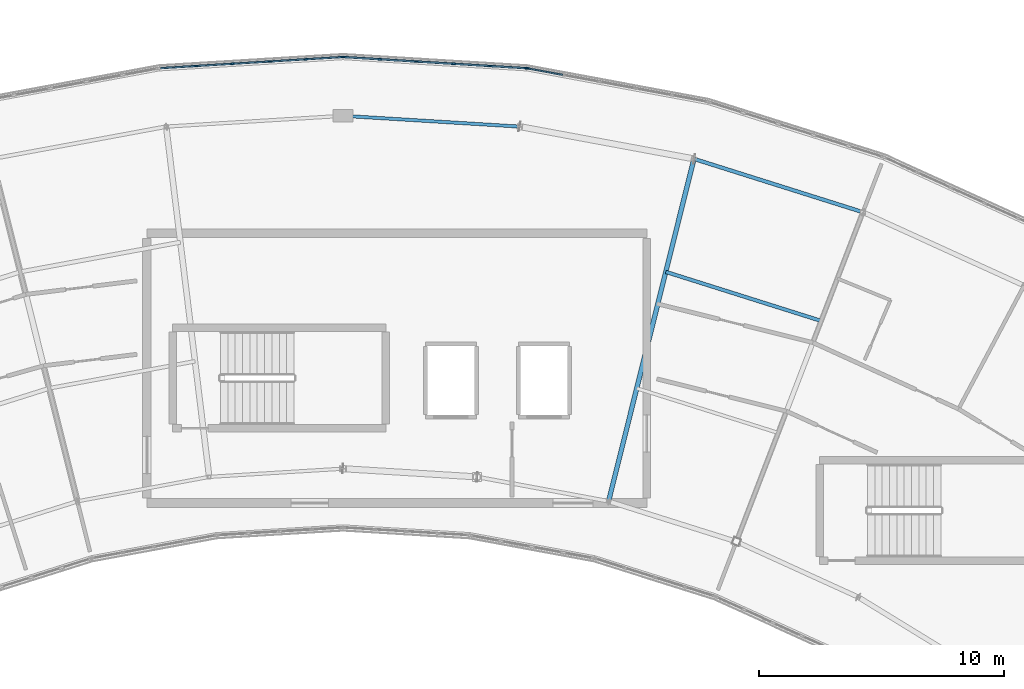
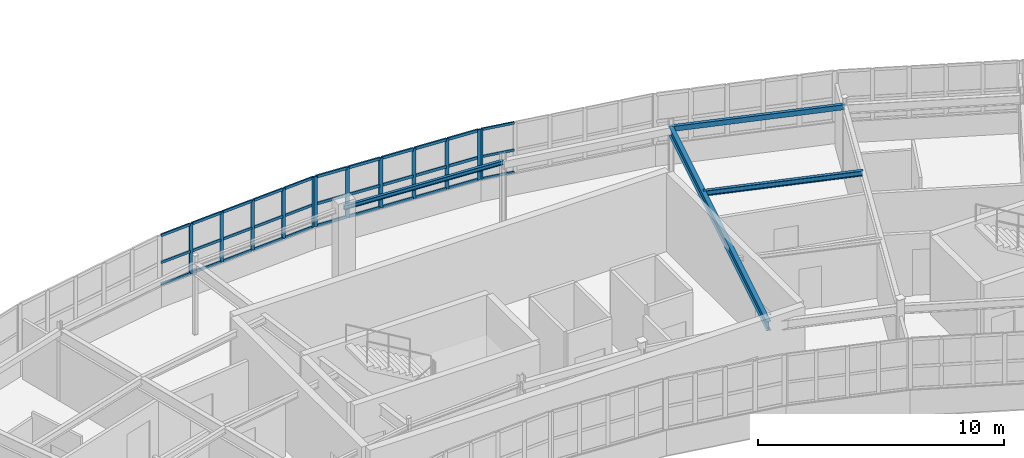
# One storey, part 40 of 79: 45 members, 4 beams, 3 elements without a shape of their own.
"""IFC4 building model written with IfcOpenShell, lengths in metres."""

from ifc_helpers import new_model, si_unit, direction, frame, origin, origin_2d, place, context, subcontext, project, spatial, rectangle, hollow_rectangle, i_section, extrude, material, layer, layer_set, material_profile, profile_set, type_object, element, aggregate, save


model = new_model("IFC4")

# Units and contexts
model_context = context("Model", 3, precision=1e-05, world=origin(), true_north=direction((0.0, 1.0)))
body_context = subcontext(model_context, "Body", "Model", "MODEL_VIEW")
ifc_project = project(units=[si_unit("LENGTHUNIT", "METRE"), si_unit("AREAUNIT", "SQUARE_METRE"), si_unit("VOLUMEUNIT", "CUBIC_METRE"), si_unit("PLANEANGLEUNIT", "RADIAN"), si_unit("MASSUNIT", "GRAM", prefix="KILO")], contexts=[model_context])

# Site, building, storey
site_placement = place(None, origin())
site = spatial("IfcSite", under=ifc_project, at=site_placement, CompositionType="ELEMENT")
building_placement = place(site_placement, origin())
building = spatial("IfcBuilding", under=site, at=building_placement, Name="Tarnwether General Hospital", CompositionType="ELEMENT")
storey_placement = place(building_placement, frame((0.0, 0.0, 18.300048828125)))
storey = spatial("IfcBuildingStorey", under=building, at=storey_placement, Name="L04", CompositionType="ELEMENT", Elevation=18.300048828125)

# Beams
ifc_material_1 = material(Name="Steel Grade 350 (350 MPa)", Category="steel")
ifc_material_profile_1 = material_profile(ifc_material_1, i_section(OverallWidth=0.19091796875, OverallDepth=0.4599609375, WebThickness=0.010009765625, FlangeThickness=0.01611328125, at=origin_2d()), Name="460UB82.1")
ifc_profile_set_1 = profile_set([ifc_material_profile_1], Name="Steel Grade 350 (350 MPa)")
beam_type_1 = type_object("IfcBeamType", Name="BM-G08", PredefinedType="BEAM", material=ifc_profile_set_1)
beam_1_placement = place(storey_placement, frame((106.322021484375, 120.44189453125, 3.329833984375), z_axis=(-0.241941215118, -0.970290909175, 0.0), x_axis=(0.970290909175, -0.241941215118, 0.0)))
element("IfcBeam", 1, at=beam_1_placement, inside=storey, type_object=beam_type_1, Name="Curved Ward NW Radial Girder BMG-L04-10632_12044-10284_10647-1953", PredefinedType="BEAM", context=body_context, shape_type="SweptSolid", body=[
    extrude(i_section(OverallWidth=0.19091796875, OverallDepth=0.4599609375, WebThickness=0.010009765625, FlangeThickness=0.01611328125, at=origin_2d()), origin(), (0.0, 0.0, 1.0), 14.400634765625),
])
ifc_material_2 = material(Name="Steel Grade 350 (350 MPa)", Category="steel")
ifc_material_profile_2 = material_profile(ifc_material_2, i_section(OverallWidth=0.14599609375, OverallDepth=0.256103515625, WebThickness=0.00634765625, FlangeThickness=0.010986328125, at=origin_2d()), Name="250UB37.3")
ifc_profile_set_2 = profile_set([ifc_material_profile_2], Name="Steel Grade 350 (350 MPa)")
beam_type_2 = type_object("IfcBeamType", Name="BM-J09", PredefinedType="JOIST", material=ifc_profile_set_2)
beam_2_placement = place(storey_placement, frame((105.172119140625, 115.8310546875, 3.431884765625), z_axis=(0.953671429399, -0.300850136693, 0.0), x_axis=(0.300850136693, 0.953671429399, 0.0)))
element("IfcBeam", 2, at=beam_2_placement, inside=storey, type_object=beam_type_2, Name="Curved Ward NW Chord Joist BMG-L04-10517_11583-11151_11383-1975", PredefinedType="JOIST", context=body_context, shape_type="SweptSolid", body=[
    extrude(i_section(OverallWidth=0.14599609375, OverallDepth=0.256103515625, WebThickness=0.00634765625, FlangeThickness=0.010986328125, at=origin_2d()), origin(), (0.0, 0.0, 1.0), 6.64794921875),
])
ifc_material_3 = material(Name="Steel Grade 350 (350 MPa)", Category="steel")
ifc_material_profile_3 = material_profile(ifc_material_3, i_section(OverallWidth=0.133056640625, OverallDepth=0.201904296875, WebThickness=0.0048828125, FlangeThickness=0.007080078125, at=origin_2d()), Name="200UB22.3")
ifc_profile_set_3 = profile_set([ifc_material_profile_3], Name="Steel Grade 350 (350 MPa)")
beam_type_3 = type_object("IfcBeamType", Name="BM-SP6", PredefinedType="SPANDREL", material=ifc_profile_set_3)
beam_3_placement = place(storey_placement, frame((92.0, 122.199951171875, 3.458984375), z_axis=(0.998137964221, -0.060996757127, 0.0), x_axis=(0.060996757127, 0.998137964221, 0.0)))
element("IfcBeam", 3, at=beam_3_placement, inside=storey, type_object=beam_type_3, Name="Curved Ward NW Outer Spandrel BMG-L04-9200_12220-9922_12176-1969", PredefinedType="SPANDREL", context=body_context, shape_type="SweptSolid", body=[
    extrude(i_section(OverallWidth=0.133056640625, OverallDepth=0.201904296875, WebThickness=0.0048828125, FlangeThickness=0.007080078125, at=origin_2d()), origin(), (0.0, 0.0, 1.0), 7.228515625),
])
ifc_material_4 = material(Name="Steel Grade C350L0 (350 MPa)", Category="steel")
ifc_material_profile_4 = material_profile(ifc_material_4, hollow_rectangle(XDim=0.14990234375, YDim=0.25, WallThickness=0.008056640625, at=origin_2d()), Name="RHS250x150x8")
ifc_profile_set_4 = profile_set([ifc_material_profile_4], Name="Steel Grade C350L0 (350 MPa)")
beam_type_4 = type_object("IfcBeamType", Name="BM-SP8", PredefinedType="SPANDREL", material=ifc_profile_set_4)
beam_4_placement = place(storey_placement, frame((106.322021484375, 120.44189453125, 3.43505859375), z_axis=(0.953698988948, -0.300762761125, 0.0), x_axis=(0.300762761125, 0.953698988948, 0.0)))
element("IfcBeam", 4, at=beam_4_placement, inside=storey, type_object=beam_type_4, Name="Curved Ward NW Outer Spandrel BMG-L04-10632_12044-11322_11827-1973", PredefinedType="SPANDREL", context=body_context, shape_type="SweptSolid", body=[
    extrude(hollow_rectangle(XDim=0.14990234375, YDim=0.25, WallThickness=0.008056640625, at=origin_2d()), origin(), (0.0, 0.0, 1.0), 7.227783203125),
])

# Curtain wall, member
ifc_material_5 = material(Name="Anodised aluminium", Category="aluminium")
ifc_layer = layer(ifc_material_5, 0.159912109375)
ifc_layer_set = layer_set([ifc_layer], Name="Anodised aluminium")
curtain_wall_type = type_object("IfcCurtainWallType", Name="CW-02", PredefinedType="NOTDEFINED", material=ifc_layer_set)
curtain_wall_1_placement = place(storey_placement, origin())
curtain_wall_1 = element("IfcCurtainWall", 5, at=curtain_wall_1_placement, inside=storey, type_object=curtain_wall_type, Name="Curtain Wall CWG-L04-995_1241-0057", PredefinedType="NOTDEFINED")
ifc_material_6 = material(Name="Anodised aluminium", Category="aluminium")
ifc_material_profile_5 = material_profile(ifc_material_6, rectangle(XDim=0.06005859375, YDim=0.159912109375, at=origin_2d()), Name="ALU-MUL-60x160")
ifc_profile_set_5 = profile_set([ifc_material_profile_5], Name="Anodised aluminium")
member_type_1 = type_object("IfcMemberType", Name="CW-ML1", PredefinedType="MULLION", material=ifc_profile_set_5)
member_1_placement = place(storey_placement, frame((99.536376953125, 124.135498046875, 1.050048828125), z_axis=(0.0, 0.0, 1.0), x_axis=(0.182289226614, 0.983244953132, 0.0)))
member_1 = element("IfcMember", 6, at=member_1_placement, type_object=member_type_1, Name="CW-02 mullion 1", PredefinedType="MULLION", context=body_context, shape_type="SweptSolid", body=[
    extrude(rectangle(XDim=0.06005859375, YDim=0.159912109375, at=origin_2d()), origin(), (0.0, 0.0, 1.0), 2.489990234375),
])

# Curtain wall, members
curtain_wall_2_placement = place(storey_placement, origin())
curtain_wall_2 = element("IfcCurtainWall", 7, at=curtain_wall_2_placement, inside=storey, type_object=curtain_wall_type, Name="Curtain Wall CWG-L04-920_1246-0058", PredefinedType="NOTDEFINED")
ifc_material_7 = material(Name="Anodised aluminium", Category="aluminium")
ifc_material_profile_6 = material_profile(ifc_material_7, rectangle(XDim=0.070068359375, YDim=0.179931640625, at=origin_2d()), Name="ALU-MUL-70x180")
ifc_profile_set_6 = profile_set([ifc_material_profile_6], Name="Anodised aluminium")
member_type_2 = type_object("IfcMemberType", Name="CW-ML2", PredefinedType="MULLION", material=ifc_profile_set_6)
member_2_placement = place(storey_placement, frame((92.034912109375, 124.597900390625, 1.050048828125), z_axis=(0.0, 0.0, 1.0), x_axis=(0.061028962567, 0.998135995608, 0.0)))
member_2 = element("IfcMember", 8, at=member_2_placement, type_object=member_type_2, Name="CW-02 mullion 1", PredefinedType="MULLION", context=body_context, shape_type="SweptSolid", body=[
    extrude(rectangle(XDim=0.070068359375, YDim=0.179931640625, at=origin_2d()), origin(), (0.0, 0.0, 1.0), 2.489990234375),
])
member_3_placement = place(storey_placement, frame((93.50146484375, 124.50830078125, 1.050048828125), z_axis=(0.0, 0.0, 1.0), x_axis=(0.061028962567, 0.998135995608, 0.0)))
member_3 = element("IfcMember", 9, at=member_3_placement, type_object=member_type_2, Name="CW-02 mullion 2", PredefinedType="MULLION", context=body_context, shape_type="SweptSolid", body=[
    extrude(rectangle(XDim=0.070068359375, YDim=0.179931640625, at=origin_2d()), origin(), (0.0, 0.0, 1.0), 2.489990234375),
])
member_4_placement = place(storey_placement, frame((95.002685546875, 124.41650390625, 1.050048828125), z_axis=(0.0, 0.0, 1.0), x_axis=(0.061028962567, 0.998135995608, 0.0)))
member_4 = element("IfcMember", 10, at=member_4_placement, type_object=member_type_2, Name="CW-02 mullion 3", PredefinedType="MULLION", context=body_context, shape_type="SweptSolid", body=[
    extrude(rectangle(XDim=0.070068359375, YDim=0.179931640625, at=origin_2d()), origin(), (0.0, 0.0, 1.0), 2.489990234375),
])
member_5_placement = place(storey_placement, frame((96.504150390625, 124.32470703125, 1.050048828125), z_axis=(0.0, 0.0, 1.0), x_axis=(0.061028962567, 0.998135995608, 0.0)))
member_5 = element("IfcMember", 11, at=member_5_placement, type_object=member_type_2, Name="CW-02 mullion 4", PredefinedType="MULLION", context=body_context, shape_type="SweptSolid", body=[
    extrude(rectangle(XDim=0.070068359375, YDim=0.179931640625, at=origin_2d()), origin(), (0.0, 0.0, 1.0), 2.489990234375),
])
member_6_placement = place(storey_placement, frame((98.005615234375, 124.23291015625, 1.050048828125), z_axis=(0.0, 0.0, 1.0), x_axis=(0.061028962567, 0.998135995608, 0.0)))
member_6 = element("IfcMember", 12, at=member_6_placement, type_object=member_type_2, Name="CW-02 mullion 5", PredefinedType="MULLION", context=body_context, shape_type="SweptSolid", body=[
    extrude(rectangle(XDim=0.070068359375, YDim=0.179931640625, at=origin_2d()), origin(), (0.0, 0.0, 1.0), 2.489990234375),
])
member_7_placement = place(storey_placement, frame((99.47216796875, 124.14306640625, 1.050048828125), z_axis=(0.0, 0.0, 1.0), x_axis=(0.061028962567, 0.998135995608, 0.0)))
member_7 = element("IfcMember", 13, at=member_7_placement, type_object=member_type_2, Name="CW-02 mullion 6", PredefinedType="MULLION", context=body_context, shape_type="SweptSolid", body=[
    extrude(rectangle(XDim=0.070068359375, YDim=0.179931640625, at=origin_2d()), origin(), (0.0, 0.0, 1.0), 2.489990234375),
])

curtain_wall_3_placement = place(storey_placement, origin())
curtain_wall_3 = element("IfcCurtainWall", 14, at=curtain_wall_3_placement, inside=storey, type_object=curtain_wall_type, Name="Curtain Wall CWG-L04-845_1241-0059", PredefinedType="NOTDEFINED")
ifc_material_8 = material(Name="Anodised aluminium", Category="aluminium")
ifc_material_profile_7 = material_profile(ifc_material_8, rectangle(XDim=0.06494140625, YDim=0.169921875, at=origin_2d()), Name="ALU-MUL-65x170")
ifc_profile_set_7 = profile_set([ifc_material_profile_7], Name="Anodised aluminium")
member_type_3 = type_object("IfcMemberType", Name="CW-ML3", PredefinedType="MULLION", material=ifc_profile_set_7)
member_8_placement = place(storey_placement, frame((85.994384765625, 124.23291015625, 1.050048828125), z_axis=(0.0, 0.0, 1.0), x_axis=(-0.061028962567, 0.998135995608, 0.0)))
member_8 = element("IfcMember", 15, at=member_8_placement, type_object=member_type_3, Name="CW-02 mullion 2", PredefinedType="MULLION", context=body_context, shape_type="SweptSolid", body=[
    extrude(rectangle(XDim=0.06494140625, YDim=0.169921875, at=origin_2d()), origin(), (0.0, 0.0, 1.0), 2.489990234375),
])
member_9_placement = place(storey_placement, frame((87.495849609375, 124.32470703125, 1.050048828125), z_axis=(0.0, 0.0, 1.0), x_axis=(-0.061028962567, 0.998135995608, 0.0)))
member_9 = element("IfcMember", 16, at=member_9_placement, type_object=member_type_3, Name="CW-02 mullion 3", PredefinedType="MULLION", context=body_context, shape_type="SweptSolid", body=[
    extrude(rectangle(XDim=0.06494140625, YDim=0.169921875, at=origin_2d()), origin(), (0.0, 0.0, 1.0), 2.489990234375),
])
member_10_placement = place(storey_placement, frame((88.997314453125, 124.41650390625, 1.050048828125), z_axis=(0.0, 0.0, 1.0), x_axis=(-0.061028962567, 0.998135995608, 0.0)))
member_10 = element("IfcMember", 17, at=member_10_placement, type_object=member_type_3, Name="CW-02 mullion 4", PredefinedType="MULLION", context=body_context, shape_type="SweptSolid", body=[
    extrude(rectangle(XDim=0.06494140625, YDim=0.169921875, at=origin_2d()), origin(), (0.0, 0.0, 1.0), 2.489990234375),
])
member_11_placement = place(storey_placement, frame((90.49853515625, 124.50830078125, 1.050048828125), z_axis=(0.0, 0.0, 1.0), x_axis=(-0.061028962567, 0.998135995608, 0.0)))
member_11 = element("IfcMember", 18, at=member_11_placement, type_object=member_type_3, Name="CW-02 mullion 5", PredefinedType="MULLION", context=body_context, shape_type="SweptSolid", body=[
    extrude(rectangle(XDim=0.06494140625, YDim=0.169921875, at=origin_2d()), origin(), (0.0, 0.0, 1.0), 2.489990234375),
])
member_12_placement = place(storey_placement, frame((91.967529296875, 124.597900390625, 1.050048828125), z_axis=(0.0, 0.0, 1.0), x_axis=(-0.061028962567, 0.998135995608, 0.0)))
member_12 = element("IfcMember", 19, at=member_12_placement, type_object=member_type_3, Name="CW-02 mullion 6", PredefinedType="MULLION", context=body_context, shape_type="SweptSolid", body=[
    extrude(rectangle(XDim=0.06494140625, YDim=0.169921875, at=origin_2d()), origin(), (0.0, 0.0, 1.0), 2.489990234375),
])

# Member
ifc_material_9 = material(Name="Anodised aluminium", Category="aluminium")
ifc_material_profile_8 = material_profile(ifc_material_9, rectangle(XDim=0.06005859375, YDim=0.1201171875, at=origin_2d()), Name="ALU-TRN-60x120")
ifc_profile_set_8 = profile_set([ifc_material_profile_8], Name="Anodised aluminium")
member_type_4 = type_object("IfcMemberType", Name="CW-TR1", PredefinedType="USERDEFINED", material=ifc_profile_set_8)
member_13_placement = place(storey_placement, frame((99.56591796875, 124.130126953125, 1.079833984375), z_axis=(0.983245354782, -0.182287060156, 0.0), x_axis=(0.182287060156, 0.983245354782, 0.0)))
member_13 = element("IfcMember", 20, at=member_13_placement, type_object=member_type_4, Name="CW-02 transom 1.1", ObjectType="TRANSOM", PredefinedType="USERDEFINED", context=body_context, shape_type="SweptSolid", body=[
    extrude(rectangle(XDim=0.06005859375, YDim=0.1201171875, at=origin_2d()), origin(), (0.0, 0.0, 1.0), 1.414306640625),
])

member_14_placement = place(storey_placement, frame((99.56591796875, 124.130126953125, 2.17041015625), z_axis=(0.983245354782, -0.182287060156, 0.0), x_axis=(0.182287060156, 0.983245354782, 0.0)))
member_14 = element("IfcMember", 21, at=member_14_placement, type_object=member_type_4, Name="CW-02 transom 1.2", ObjectType="TRANSOM", PredefinedType="USERDEFINED", context=body_context, shape_type="SweptSolid", body=[
    extrude(rectangle(XDim=0.06005859375, YDim=0.1201171875, at=origin_2d()), origin(), (0.0, 0.0, 1.0), 1.414306640625),
])

member_15_placement = place(storey_placement, frame((99.56591796875, 124.130126953125, 3.510009765625), z_axis=(0.983245354782, -0.182287060156, 0.0), x_axis=(0.182287060156, 0.983245354782, 0.0)))
member_15 = element("IfcMember", 22, at=member_15_placement, type_object=member_type_4, Name="CW-02 transom 1.3", ObjectType="TRANSOM", PredefinedType="USERDEFINED", context=body_context, shape_type="SweptSolid", body=[
    extrude(rectangle(XDim=0.06005859375, YDim=0.1201171875, at=origin_2d()), origin(), (0.0, 0.0, 1.0), 1.414306640625),
])

aggregate(curtain_wall_1, [member_1, member_13, member_14, member_15])

ifc_material_10 = material(Name="Anodised aluminium", Category="aluminium")
ifc_material_profile_9 = material_profile(ifc_material_10, rectangle(XDim=0.070068359375, YDim=0.139892578125, at=origin_2d()), Name="ALU-TRN-70x140")
ifc_profile_set_9 = profile_set([ifc_material_profile_9], Name="Anodised aluminium")
member_type_5 = type_object("IfcMemberType", Name="CW-TR2", PredefinedType="USERDEFINED", material=ifc_profile_set_9)
member_16_placement = place(storey_placement, frame((92.06982421875, 124.595703125, 1.0849609375), z_axis=(0.998133855848, -0.061063948531, 0.0), x_axis=(0.061063948531, 0.998133855848, 0.0)))
member_16 = element("IfcMember", 23, at=member_16_placement, type_object=member_type_5, Name="CW-02 transom 1.1", ObjectType="TRANSOM", PredefinedType="USERDEFINED", context=body_context, shape_type="SweptSolid", body=[
    extrude(rectangle(XDim=0.070068359375, YDim=0.139892578125, at=origin_2d()), origin(), (0.0, 0.0, 1.0), 1.3994140625),
])

member_17_placement = place(storey_placement, frame((92.06982421875, 124.595703125, 2.17041015625), z_axis=(0.998133855848, -0.061063948531, 0.0), x_axis=(0.061063948531, 0.998133855848, 0.0)))
member_17 = element("IfcMember", 24, at=member_17_placement, type_object=member_type_5, Name="CW-02 transom 1.2", ObjectType="TRANSOM", PredefinedType="USERDEFINED", context=body_context, shape_type="SweptSolid", body=[
    extrude(rectangle(XDim=0.070068359375, YDim=0.139892578125, at=origin_2d()), origin(), (0.0, 0.0, 1.0), 1.3994140625),
])

member_18_placement = place(storey_placement, frame((92.06982421875, 124.595703125, 3.5048828125), z_axis=(0.998133855848, -0.061063948531, 0.0), x_axis=(0.061063948531, 0.998133855848, 0.0)))
member_18 = element("IfcMember", 25, at=member_18_placement, type_object=member_type_5, Name="CW-02 transom 1.3", ObjectType="TRANSOM", PredefinedType="USERDEFINED", context=body_context, shape_type="SweptSolid", body=[
    extrude(rectangle(XDim=0.070068359375, YDim=0.139892578125, at=origin_2d()), origin(), (0.0, 0.0, 1.0), 1.3994140625),
])

member_19_placement = place(storey_placement, frame((93.536376953125, 124.506103515625, 1.0849609375), z_axis=(0.998130609701, -0.061116985994, 0.0), x_axis=(0.061116985994, 0.998130609701, 0.0)))
member_19 = element("IfcMember", 26, at=member_19_placement, type_object=member_type_5, Name="CW-02 transom 2.1", ObjectType="TRANSOM", PredefinedType="USERDEFINED", context=body_context, shape_type="SweptSolid", body=[
    extrude(rectangle(XDim=0.070068359375, YDim=0.139892578125, at=origin_2d()), origin(), (0.0, 0.0, 1.0), 1.43408203125),
])

member_20_placement = place(storey_placement, frame((93.536376953125, 124.506103515625, 2.17041015625), z_axis=(0.998130609701, -0.061116985994, 0.0), x_axis=(0.061116985994, 0.998130609701, 0.0)))
member_20 = element("IfcMember", 27, at=member_20_placement, type_object=member_type_5, Name="CW-02 transom 2.2", ObjectType="TRANSOM", PredefinedType="USERDEFINED", context=body_context, shape_type="SweptSolid", body=[
    extrude(rectangle(XDim=0.070068359375, YDim=0.139892578125, at=origin_2d()), origin(), (0.0, 0.0, 1.0), 1.43408203125),
])

member_21_placement = place(storey_placement, frame((93.536376953125, 124.506103515625, 3.5048828125), z_axis=(0.998130609701, -0.061116985994, 0.0), x_axis=(0.061116985994, 0.998130609701, 0.0)))
member_21 = element("IfcMember", 28, at=member_21_placement, type_object=member_type_5, Name="CW-02 transom 2.3", ObjectType="TRANSOM", PredefinedType="USERDEFINED", context=body_context, shape_type="SweptSolid", body=[
    extrude(rectangle(XDim=0.070068359375, YDim=0.139892578125, at=origin_2d()), origin(), (0.0, 0.0, 1.0), 1.43408203125),
])

member_22_placement = place(storey_placement, frame((95.037841796875, 124.414306640625, 1.0849609375), z_axis=(0.998130609701, -0.061116985994, 0.0), x_axis=(0.061116985994, 0.998130609701, 0.0)))
member_22 = element("IfcMember", 29, at=member_22_placement, type_object=member_type_5, Name="CW-02 transom 3.1", ObjectType="TRANSOM", PredefinedType="USERDEFINED", context=body_context, shape_type="SweptSolid", body=[
    extrude(rectangle(XDim=0.070068359375, YDim=0.139892578125, at=origin_2d()), origin(), (0.0, 0.0, 1.0), 1.43408203125),
])

member_23_placement = place(storey_placement, frame((95.037841796875, 124.414306640625, 2.17041015625), z_axis=(0.998130609701, -0.061116985994, 0.0), x_axis=(0.061116985994, 0.998130609701, 0.0)))
member_23 = element("IfcMember", 30, at=member_23_placement, type_object=member_type_5, Name="CW-02 transom 3.2", ObjectType="TRANSOM", PredefinedType="USERDEFINED", context=body_context, shape_type="SweptSolid", body=[
    extrude(rectangle(XDim=0.070068359375, YDim=0.139892578125, at=origin_2d()), origin(), (0.0, 0.0, 1.0), 1.43408203125),
])

member_24_placement = place(storey_placement, frame((95.037841796875, 124.414306640625, 3.5048828125), z_axis=(0.998130609701, -0.061116985994, 0.0), x_axis=(0.061116985994, 0.998130609701, 0.0)))
member_24 = element("IfcMember", 31, at=member_24_placement, type_object=member_type_5, Name="CW-02 transom 3.3", ObjectType="TRANSOM", PredefinedType="USERDEFINED", context=body_context, shape_type="SweptSolid", body=[
    extrude(rectangle(XDim=0.070068359375, YDim=0.139892578125, at=origin_2d()), origin(), (0.0, 0.0, 1.0), 1.43408203125),
])

member_25_placement = place(storey_placement, frame((96.5390625, 124.322509765625, 1.0849609375), z_axis=(0.998131245443, -0.061106602509, 0.0), x_axis=(0.061106602509, 0.998131245443, 0.0)))
member_25 = element("IfcMember", 32, at=member_25_placement, type_object=member_type_5, Name="CW-02 transom 4.1", ObjectType="TRANSOM", PredefinedType="USERDEFINED", context=body_context, shape_type="SweptSolid", body=[
    extrude(rectangle(XDim=0.070068359375, YDim=0.139892578125, at=origin_2d()), origin(), (0.0, 0.0, 1.0), 1.434326171875),
])

member_26_placement = place(storey_placement, frame((96.5390625, 124.322509765625, 2.17041015625), z_axis=(0.998131245443, -0.061106602509, 0.0), x_axis=(0.061106602509, 0.998131245443, 0.0)))
member_26 = element("IfcMember", 33, at=member_26_placement, type_object=member_type_5, Name="CW-02 transom 4.2", ObjectType="TRANSOM", PredefinedType="USERDEFINED", context=body_context, shape_type="SweptSolid", body=[
    extrude(rectangle(XDim=0.070068359375, YDim=0.139892578125, at=origin_2d()), origin(), (0.0, 0.0, 1.0), 1.434326171875),
])

member_27_placement = place(storey_placement, frame((96.5390625, 124.322509765625, 3.5048828125), z_axis=(0.998131245443, -0.061106602509, 0.0), x_axis=(0.061106602509, 0.998131245443, 0.0)))
member_27 = element("IfcMember", 34, at=member_27_placement, type_object=member_type_5, Name="CW-02 transom 4.3", ObjectType="TRANSOM", PredefinedType="USERDEFINED", context=body_context, shape_type="SweptSolid", body=[
    extrude(rectangle(XDim=0.070068359375, YDim=0.139892578125, at=origin_2d()), origin(), (0.0, 0.0, 1.0), 1.434326171875),
])

member_28_placement = place(storey_placement, frame((98.04052734375, 124.230712890625, 1.0849609375), z_axis=(0.998133205119, -0.061074584229, 0.0), x_axis=(0.061074584229, 0.998133205119, 0.0)))
member_28 = element("IfcMember", 35, at=member_28_placement, type_object=member_type_5, Name="CW-02 transom 5.1", ObjectType="TRANSOM", PredefinedType="USERDEFINED", context=body_context, shape_type="SweptSolid", body=[
    extrude(rectangle(XDim=0.070068359375, YDim=0.139892578125, at=origin_2d()), origin(), (0.0, 0.0, 1.0), 1.399169921875),
])

member_29_placement = place(storey_placement, frame((98.04052734375, 124.230712890625, 2.17041015625), z_axis=(0.998133205119, -0.061074584229, 0.0), x_axis=(0.061074584229, 0.998133205119, 0.0)))
member_29 = element("IfcMember", 36, at=member_29_placement, type_object=member_type_5, Name="CW-02 transom 5.2", ObjectType="TRANSOM", PredefinedType="USERDEFINED", context=body_context, shape_type="SweptSolid", body=[
    extrude(rectangle(XDim=0.070068359375, YDim=0.139892578125, at=origin_2d()), origin(), (0.0, 0.0, 1.0), 1.399169921875),
])

member_30_placement = place(storey_placement, frame((98.04052734375, 124.230712890625, 3.5048828125), z_axis=(0.998133205119, -0.061074584229, 0.0), x_axis=(0.061074584229, 0.998133205119, 0.0)))
member_30 = element("IfcMember", 37, at=member_30_placement, type_object=member_type_5, Name="CW-02 transom 5.3", ObjectType="TRANSOM", PredefinedType="USERDEFINED", context=body_context, shape_type="SweptSolid", body=[
    extrude(rectangle(XDim=0.070068359375, YDim=0.139892578125, at=origin_2d()), origin(), (0.0, 0.0, 1.0), 1.399169921875),
])

aggregate(curtain_wall_2, [member_2, member_3, member_4, member_5, member_6, member_7, member_16, member_17, member_18, member_19, member_20, member_21, member_22, member_23, member_24, member_25, member_26, member_27, member_28, member_29, member_30])

ifc_material_11 = material(Name="Anodised aluminium", Category="aluminium")
ifc_material_profile_10 = material_profile(ifc_material_11, rectangle(XDim=0.06494140625, YDim=0.1298828125, at=origin_2d()), Name="ALU-TRN-65x130")
ifc_profile_set_10 = profile_set([ifc_material_profile_10], Name="Anodised aluminium")
member_type_6 = type_object("IfcMemberType", Name="CW-TR3", PredefinedType="USERDEFINED", material=ifc_profile_set_10)
member_31_placement = place(storey_placement, frame((84.557861328125, 124.14501953125, 1.08251953125), z_axis=(0.998142682054, 0.060919506416, 0.0), x_axis=(-0.060919506416, 0.998142682054, 0.0)))
member_31 = element("IfcMember", 38, at=member_31_placement, type_object=member_type_6, Name="CW-02 transom 1.1", ObjectType="TRANSOM", PredefinedType="USERDEFINED", context=body_context, shape_type="SweptSolid", body=[
    extrude(rectangle(XDim=0.06494140625, YDim=0.1298828125, at=origin_2d()), origin(), (0.0, 0.0, 1.0), 1.40673828125),
])

member_32_placement = place(storey_placement, frame((84.557861328125, 124.14501953125, 2.17041015625), z_axis=(0.998142682054, 0.060919506416, 0.0), x_axis=(-0.060919506416, 0.998142682054, 0.0)))
member_32 = element("IfcMember", 39, at=member_32_placement, type_object=member_type_6, Name="CW-02 transom 1.2", ObjectType="TRANSOM", PredefinedType="USERDEFINED", context=body_context, shape_type="SweptSolid", body=[
    extrude(rectangle(XDim=0.06494140625, YDim=0.1298828125, at=origin_2d()), origin(), (0.0, 0.0, 1.0), 1.40673828125),
])

member_33_placement = place(storey_placement, frame((84.557861328125, 124.14501953125, 3.507568359375), z_axis=(0.998142682054, 0.060919506416, 0.0), x_axis=(-0.060919506416, 0.998142682054, 0.0)))
member_33 = element("IfcMember", 40, at=member_33_placement, type_object=member_type_6, Name="CW-02 transom 1.3", ObjectType="TRANSOM", PredefinedType="USERDEFINED", context=body_context, shape_type="SweptSolid", body=[
    extrude(rectangle(XDim=0.06494140625, YDim=0.1298828125, at=origin_2d()), origin(), (0.0, 0.0, 1.0), 1.40673828125),
])

member_34_placement = place(storey_placement, frame((86.02685546875, 124.23486328125, 1.08251953125), z_axis=(0.998143892538, 0.060899669854, 0.0), x_axis=(-0.060899669854, 0.998143892538, 0.0)))
member_34 = element("IfcMember", 41, at=member_34_placement, type_object=member_type_6, Name="CW-02 transom 2.1", ObjectType="TRANSOM", PredefinedType="USERDEFINED", context=body_context, shape_type="SweptSolid", body=[
    extrude(rectangle(XDim=0.06494140625, YDim=0.1298828125, at=origin_2d()), origin(), (0.0, 0.0, 1.0), 1.439208984375),
])

member_35_placement = place(storey_placement, frame((86.02685546875, 124.23486328125, 2.17041015625), z_axis=(0.998143892538, 0.060899669854, 0.0), x_axis=(-0.060899669854, 0.998143892538, 0.0)))
member_35 = element("IfcMember", 42, at=member_35_placement, type_object=member_type_6, Name="CW-02 transom 2.2", ObjectType="TRANSOM", PredefinedType="USERDEFINED", context=body_context, shape_type="SweptSolid", body=[
    extrude(rectangle(XDim=0.06494140625, YDim=0.1298828125, at=origin_2d()), origin(), (0.0, 0.0, 1.0), 1.439208984375),
])

member_36_placement = place(storey_placement, frame((86.02685546875, 124.23486328125, 3.507568359375), z_axis=(0.998143892538, 0.060899669854, 0.0), x_axis=(-0.060899669854, 0.998143892538, 0.0)))
member_36 = element("IfcMember", 43, at=member_36_placement, type_object=member_type_6, Name="CW-02 transom 2.3", ObjectType="TRANSOM", PredefinedType="USERDEFINED", context=body_context, shape_type="SweptSolid", body=[
    extrude(rectangle(XDim=0.06494140625, YDim=0.1298828125, at=origin_2d()), origin(), (0.0, 0.0, 1.0), 1.439208984375),
])

member_37_placement = place(storey_placement, frame((87.5283203125, 124.32666015625, 1.08251953125), z_axis=(0.998143892538, 0.060899669854, 0.0), x_axis=(-0.060899669854, 0.998143892538, 0.0)))
member_37 = element("IfcMember", 44, at=member_37_placement, type_object=member_type_6, Name="CW-02 transom 3.1", ObjectType="TRANSOM", PredefinedType="USERDEFINED", context=body_context, shape_type="SweptSolid", body=[
    extrude(rectangle(XDim=0.06494140625, YDim=0.1298828125, at=origin_2d()), origin(), (0.0, 0.0, 1.0), 1.439208984375),
])

member_38_placement = place(storey_placement, frame((87.5283203125, 124.32666015625, 2.17041015625), z_axis=(0.998143892538, 0.060899669854, 0.0), x_axis=(-0.060899669854, 0.998143892538, 0.0)))
member_38 = element("IfcMember", 45, at=member_38_placement, type_object=member_type_6, Name="CW-02 transom 3.2", ObjectType="TRANSOM", PredefinedType="USERDEFINED", context=body_context, shape_type="SweptSolid", body=[
    extrude(rectangle(XDim=0.06494140625, YDim=0.1298828125, at=origin_2d()), origin(), (0.0, 0.0, 1.0), 1.439208984375),
])

member_39_placement = place(storey_placement, frame((87.5283203125, 124.32666015625, 3.507568359375), z_axis=(0.998143892538, 0.060899669854, 0.0), x_axis=(-0.060899669854, 0.998143892538, 0.0)))
member_39 = element("IfcMember", 46, at=member_39_placement, type_object=member_type_6, Name="CW-02 transom 3.3", ObjectType="TRANSOM", PredefinedType="USERDEFINED", context=body_context, shape_type="SweptSolid", body=[
    extrude(rectangle(XDim=0.06494140625, YDim=0.1298828125, at=origin_2d()), origin(), (0.0, 0.0, 1.0), 1.439208984375),
])

member_40_placement = place(storey_placement, frame((89.029541015625, 124.41845703125, 1.08251953125), z_axis=(0.998143892538, 0.060899669854, 0.0), x_axis=(-0.060899669854, 0.998143892538, 0.0)))
member_40 = element("IfcMember", 47, at=member_40_placement, type_object=member_type_6, Name="CW-02 transom 4.1", ObjectType="TRANSOM", PredefinedType="USERDEFINED", context=body_context, shape_type="SweptSolid", body=[
    extrude(rectangle(XDim=0.06494140625, YDim=0.1298828125, at=origin_2d()), origin(), (0.0, 0.0, 1.0), 1.439208984375),
])

member_41_placement = place(storey_placement, frame((89.029541015625, 124.41845703125, 2.17041015625), z_axis=(0.998143892538, 0.060899669854, 0.0), x_axis=(-0.060899669854, 0.998143892538, 0.0)))
member_41 = element("IfcMember", 48, at=member_41_placement, type_object=member_type_6, Name="CW-02 transom 4.2", ObjectType="TRANSOM", PredefinedType="USERDEFINED", context=body_context, shape_type="SweptSolid", body=[
    extrude(rectangle(XDim=0.06494140625, YDim=0.1298828125, at=origin_2d()), origin(), (0.0, 0.0, 1.0), 1.439208984375),
])

member_42_placement = place(storey_placement, frame((89.029541015625, 124.41845703125, 3.507568359375), z_axis=(0.998143892538, 0.060899669854, 0.0), x_axis=(-0.060899669854, 0.998143892538, 0.0)))
member_42 = element("IfcMember", 49, at=member_42_placement, type_object=member_type_6, Name="CW-02 transom 4.3", ObjectType="TRANSOM", PredefinedType="USERDEFINED", context=body_context, shape_type="SweptSolid", body=[
    extrude(rectangle(XDim=0.06494140625, YDim=0.1298828125, at=origin_2d()), origin(), (0.0, 0.0, 1.0), 1.439208984375),
])

member_43_placement = place(storey_placement, frame((90.531005859375, 124.51025390625, 1.08251953125), z_axis=(0.998142682054, 0.060919506416, 0.0), x_axis=(-0.060919506416, 0.998142682054, 0.0)))
member_43 = element("IfcMember", 50, at=member_43_placement, type_object=member_type_6, Name="CW-02 transom 5.1", ObjectType="TRANSOM", PredefinedType="USERDEFINED", context=body_context, shape_type="SweptSolid", body=[
    extrude(rectangle(XDim=0.06494140625, YDim=0.1298828125, at=origin_2d()), origin(), (0.0, 0.0, 1.0), 1.40673828125),
])

member_44_placement = place(storey_placement, frame((90.531005859375, 124.51025390625, 2.17041015625), z_axis=(0.998142682054, 0.060919506416, 0.0), x_axis=(-0.060919506416, 0.998142682054, 0.0)))
member_44 = element("IfcMember", 51, at=member_44_placement, type_object=member_type_6, Name="CW-02 transom 5.2", ObjectType="TRANSOM", PredefinedType="USERDEFINED", context=body_context, shape_type="SweptSolid", body=[
    extrude(rectangle(XDim=0.06494140625, YDim=0.1298828125, at=origin_2d()), origin(), (0.0, 0.0, 1.0), 1.40673828125),
])

member_45_placement = place(storey_placement, frame((90.531005859375, 124.51025390625, 3.507568359375), z_axis=(0.998142682054, 0.060919506416, 0.0), x_axis=(-0.060919506416, 0.998142682054, 0.0)))
member_45 = element("IfcMember", 52, at=member_45_placement, type_object=member_type_6, Name="CW-02 transom 5.3", ObjectType="TRANSOM", PredefinedType="USERDEFINED", context=body_context, shape_type="SweptSolid", body=[
    extrude(rectangle(XDim=0.06494140625, YDim=0.1298828125, at=origin_2d()), origin(), (0.0, 0.0, 1.0), 1.40673828125),
])

aggregate(curtain_wall_3, [member_8, member_9, member_10, member_11, member_12, member_31, member_32, member_33, member_34, member_35, member_36, member_37, member_38, member_39, member_40, member_41, member_42, member_43, member_44, member_45])

save(model, "model.ifc")
